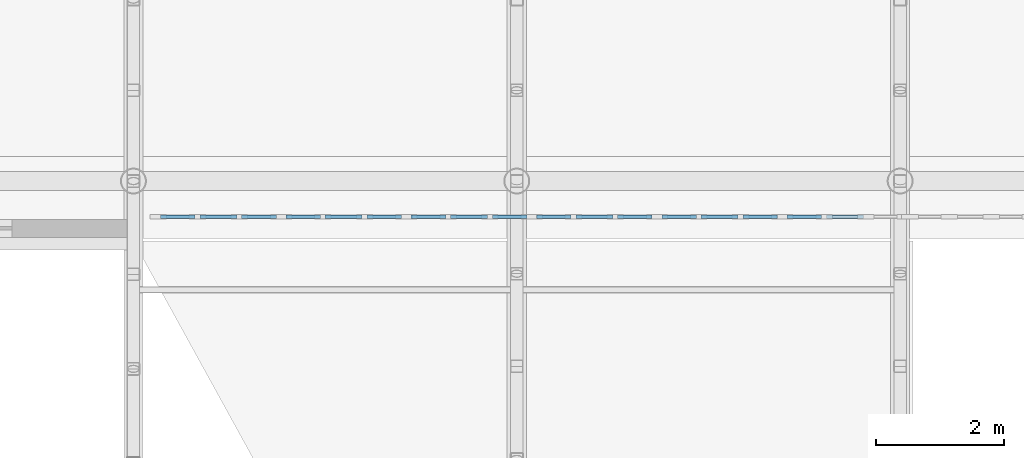
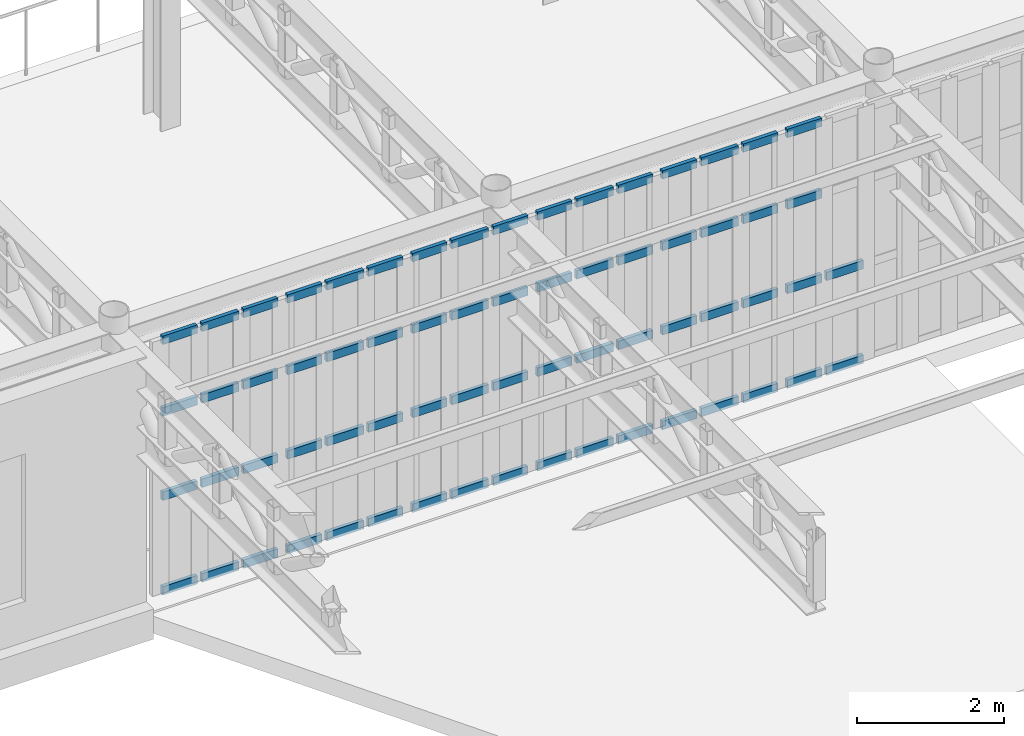
# One storey, part 35 of 91: 66 members, 6 elements without a shape of their own.
"""IFC4 building model written with IfcOpenShell, lengths in metres."""

from ifc_helpers import new_model, si_unit, direction, frame, origin, origin_2d, place, context, subcontext, project, spatial, rectangle, extrude, material, material_profile, profile_set, type_object, element, aggregate, save


model = new_model("IFC4")

# Units and contexts
model_context = context("Model", 3, precision=1e-05, world=origin(), true_north=direction((0.0, 1.0)))
body_context = subcontext(model_context, "Body", "Model", "MODEL_VIEW")
ifc_project = project(units=[si_unit("LENGTHUNIT", "METRE"), si_unit("AREAUNIT", "SQUARE_METRE"), si_unit("VOLUMEUNIT", "CUBIC_METRE"), si_unit("PLANEANGLEUNIT", "RADIAN"), si_unit("MASSUNIT", "GRAM", prefix="KILO")], contexts=[model_context])

# Site, building, storey
site_placement = place(None, origin())
site = spatial("IfcSite", under=ifc_project, at=site_placement, CompositionType="ELEMENT")
building_placement = place(site_placement, origin())
building = spatial("IfcBuilding", under=site, at=building_placement, Name="Kolvaren Corner Interchange", CompositionType="ELEMENT")
storey_placement = place(building_placement, frame((0.0, 0.0, 6.0)))
storey = spatial("IfcBuildingStorey", under=building, at=storey_placement, Name="L02", CompositionType="ELEMENT", Elevation=6.0)

# Curtain wall, members
ifc_material_1 = material(Name="Unitised Aluminium and Solar-Control Glass Curtain Wall", Category="aluminium")
curtain_wall_type = type_object("IfcCurtainWallType", Name="CW-V1-MEZZ", PredefinedType="NOTDEFINED", material=ifc_material_1)
curtain_wall_1_placement = place(storey_placement, origin())
curtain_wall_1 = element("IfcCurtainWall", 1, at=curtain_wall_1_placement, inside=storey, type_object=curtain_wall_type, Name="South Portal Mezzanine Curtain Wall Bay 01", PredefinedType="NOTDEFINED")
ifc_material_2 = material(Name="Anodised Aluminium Framing", Category="aluminium")
ifc_material_profile = material_profile(ifc_material_2, rectangle(XDim=0.06005859375, YDim=0.139892578125, at=origin_2d()), Name="ALU 60x140")
ifc_profile_set = profile_set([ifc_material_profile], Name="Anodised Aluminium Framing")
member_type = type_object("IfcMemberType", Name="TRN-ALU60x140", PredefinedType="USERDEFINED", material=ifc_profile_set)
member_1_placement = place(storey_placement, frame((72.425048828125, 24.340087890625, 0.030029296875), z_axis=(1.0, 0.0, 0.0), x_axis=(0.0, 1.0, 0.0)))
member_1 = element("IfcMember", 2, at=member_1_placement, type_object=member_type, Name="CW-019 transom 1.1", ObjectType="TRANSOM", PredefinedType="USERDEFINED", context=body_context, shape_type="SweptSolid", body=[
    extrude(rectangle(XDim=0.06005859375, YDim=0.139892578125, at=origin_2d()), origin(), (0.0, 0.0, 1.0), 0.541259765625),
])
member_2_placement = place(storey_placement, frame((72.425048828125, 24.340087890625, 1.60009765625), z_axis=(1.0, 0.0, 0.0), x_axis=(0.0, 1.0, 0.0)))
member_2 = element("IfcMember", 3, at=member_2_placement, type_object=member_type, Name="CW-019 transom 1.2", ObjectType="TRANSOM", PredefinedType="USERDEFINED", context=body_context, shape_type="SweptSolid", body=[
    extrude(rectangle(XDim=0.06005859375, YDim=0.139892578125, at=origin_2d()), origin(), (0.0, 0.0, 1.0), 0.541259765625),
])
member_3_placement = place(storey_placement, frame((72.425048828125, 24.340087890625, 3.0), z_axis=(1.0, 0.0, 0.0), x_axis=(0.0, 1.0, 0.0)))
member_3 = element("IfcMember", 4, at=member_3_placement, type_object=member_type, Name="CW-019 transom 1.3", ObjectType="TRANSOM", PredefinedType="USERDEFINED", context=body_context, shape_type="SweptSolid", body=[
    extrude(rectangle(XDim=0.06005859375, YDim=0.139892578125, at=origin_2d()), origin(), (0.0, 0.0, 1.0), 0.541259765625),
])
member_4_placement = place(storey_placement, frame((72.425048828125, 24.340087890625, 4.18994140625), z_axis=(1.0, 0.0, 0.0), x_axis=(0.0, 1.0, 0.0)))
member_4 = element("IfcMember", 5, at=member_4_placement, type_object=member_type, Name="CW-019 transom 1.4", ObjectType="TRANSOM", PredefinedType="USERDEFINED", context=body_context, shape_type="SweptSolid", body=[
    extrude(rectangle(XDim=0.06005859375, YDim=0.139892578125, at=origin_2d()), origin(), (0.0, 0.0, 1.0), 0.541259765625),
])
member_5_placement = place(storey_placement, frame((73.041259765625, 24.340087890625, 0.030029296875), z_axis=(1.0, 0.0, 0.0), x_axis=(0.0, 1.0, 0.0)))
member_5 = element("IfcMember", 6, at=member_5_placement, type_object=member_type, Name="CW-019 transom 2.1", ObjectType="TRANSOM", PredefinedType="USERDEFINED", context=body_context, shape_type="SweptSolid", body=[
    extrude(rectangle(XDim=0.06005859375, YDim=0.139892578125, at=origin_2d()), origin(), (0.0, 0.0, 1.0), 0.57861328125),
])
member_6_placement = place(storey_placement, frame((73.041259765625, 24.340087890625, 1.60009765625), z_axis=(1.0, 0.0, 0.0), x_axis=(0.0, 1.0, 0.0)))
member_6 = element("IfcMember", 7, at=member_6_placement, type_object=member_type, Name="CW-019 transom 2.2", ObjectType="TRANSOM", PredefinedType="USERDEFINED", context=body_context, shape_type="SweptSolid", body=[
    extrude(rectangle(XDim=0.06005859375, YDim=0.139892578125, at=origin_2d()), origin(), (0.0, 0.0, 1.0), 0.57861328125),
])
member_7_placement = place(storey_placement, frame((73.041259765625, 24.340087890625, 3.0), z_axis=(1.0, 0.0, 0.0), x_axis=(0.0, 1.0, 0.0)))
member_7 = element("IfcMember", 8, at=member_7_placement, type_object=member_type, Name="CW-019 transom 2.3", ObjectType="TRANSOM", PredefinedType="USERDEFINED", context=body_context, shape_type="SweptSolid", body=[
    extrude(rectangle(XDim=0.06005859375, YDim=0.139892578125, at=origin_2d()), origin(), (0.0, 0.0, 1.0), 0.57861328125),
])
member_8_placement = place(storey_placement, frame((73.041259765625, 24.340087890625, 4.18994140625), z_axis=(1.0, 0.0, 0.0), x_axis=(0.0, 1.0, 0.0)))
member_8 = element("IfcMember", 9, at=member_8_placement, type_object=member_type, Name="CW-019 transom 2.4", ObjectType="TRANSOM", PredefinedType="USERDEFINED", context=body_context, shape_type="SweptSolid", body=[
    extrude(rectangle(XDim=0.06005859375, YDim=0.139892578125, at=origin_2d()), origin(), (0.0, 0.0, 1.0), 0.57861328125),
])
member_9_placement = place(storey_placement, frame((73.69482421875, 24.340087890625, 0.030029296875), z_axis=(1.0, 0.0, 0.0), x_axis=(0.0, 1.0, 0.0)))
member_9 = element("IfcMember", 10, at=member_9_placement, type_object=member_type, Name="CW-019 transom 3.1", ObjectType="TRANSOM", PredefinedType="USERDEFINED", context=body_context, shape_type="SweptSolid", body=[
    extrude(rectangle(XDim=0.06005859375, YDim=0.139892578125, at=origin_2d()), origin(), (0.0, 0.0, 1.0), 0.541259765625),
])
member_10_placement = place(storey_placement, frame((73.69482421875, 24.340087890625, 1.60009765625), z_axis=(1.0, 0.0, 0.0), x_axis=(0.0, 1.0, 0.0)))
member_10 = element("IfcMember", 11, at=member_10_placement, type_object=member_type, Name="CW-019 transom 3.2", ObjectType="TRANSOM", PredefinedType="USERDEFINED", context=body_context, shape_type="SweptSolid", body=[
    extrude(rectangle(XDim=0.06005859375, YDim=0.139892578125, at=origin_2d()), origin(), (0.0, 0.0, 1.0), 0.541259765625),
])
member_11_placement = place(storey_placement, frame((73.69482421875, 24.340087890625, 3.0), z_axis=(1.0, 0.0, 0.0), x_axis=(0.0, 1.0, 0.0)))
member_11 = element("IfcMember", 12, at=member_11_placement, type_object=member_type, Name="CW-019 transom 3.3", ObjectType="TRANSOM", PredefinedType="USERDEFINED", context=body_context, shape_type="SweptSolid", body=[
    extrude(rectangle(XDim=0.06005859375, YDim=0.139892578125, at=origin_2d()), origin(), (0.0, 0.0, 1.0), 0.541259765625),
])
member_12_placement = place(storey_placement, frame((73.69482421875, 24.340087890625, 4.18994140625), z_axis=(1.0, 0.0, 0.0), x_axis=(0.0, 1.0, 0.0)))
member_12 = element("IfcMember", 13, at=member_12_placement, type_object=member_type, Name="CW-019 transom 3.4", ObjectType="TRANSOM", PredefinedType="USERDEFINED", context=body_context, shape_type="SweptSolid", body=[
    extrude(rectangle(XDim=0.06005859375, YDim=0.139892578125, at=origin_2d()), origin(), (0.0, 0.0, 1.0), 0.541259765625),
])
aggregate(curtain_wall_1, [member_1, member_2, member_3, member_4, member_5, member_6, member_7, member_8, member_9, member_10, member_11, member_12])

curtain_wall_2_placement = place(storey_placement, origin())
curtain_wall_2 = element("IfcCurtainWall", 14, at=curtain_wall_2_placement, inside=storey, type_object=curtain_wall_type, Name="South Portal Mezzanine Curtain Wall Bay 02", PredefinedType="NOTDEFINED")
member_13_placement = place(storey_placement, frame((74.385986328125, 24.340087890625, 0.030029296875), z_axis=(1.0, 0.0, 0.0), x_axis=(0.0, 1.0, 0.0)))
member_13 = element("IfcMember", 15, at=member_13_placement, type_object=member_type, Name="CW-020 transom 1.1", ObjectType="TRANSOM", PredefinedType="USERDEFINED", context=body_context, shape_type="SweptSolid", body=[
    extrude(rectangle(XDim=0.06005859375, YDim=0.139892578125, at=origin_2d()), origin(), (0.0, 0.0, 1.0), 0.541259765625),
])
member_14_placement = place(storey_placement, frame((74.385986328125, 24.340087890625, 1.60009765625), z_axis=(1.0, 0.0, 0.0), x_axis=(0.0, 1.0, 0.0)))
member_14 = element("IfcMember", 16, at=member_14_placement, type_object=member_type, Name="CW-020 transom 1.2", ObjectType="TRANSOM", PredefinedType="USERDEFINED", context=body_context, shape_type="SweptSolid", body=[
    extrude(rectangle(XDim=0.06005859375, YDim=0.139892578125, at=origin_2d()), origin(), (0.0, 0.0, 1.0), 0.541259765625),
])
member_15_placement = place(storey_placement, frame((74.385986328125, 24.340087890625, 3.0), z_axis=(1.0, 0.0, 0.0), x_axis=(0.0, 1.0, 0.0)))
member_15 = element("IfcMember", 17, at=member_15_placement, type_object=member_type, Name="CW-020 transom 1.3", ObjectType="TRANSOM", PredefinedType="USERDEFINED", context=body_context, shape_type="SweptSolid", body=[
    extrude(rectangle(XDim=0.06005859375, YDim=0.139892578125, at=origin_2d()), origin(), (0.0, 0.0, 1.0), 0.541259765625),
])
member_16_placement = place(storey_placement, frame((74.385986328125, 24.340087890625, 4.18994140625), z_axis=(1.0, 0.0, 0.0), x_axis=(0.0, 1.0, 0.0)))
member_16 = element("IfcMember", 18, at=member_16_placement, type_object=member_type, Name="CW-020 transom 1.4", ObjectType="TRANSOM", PredefinedType="USERDEFINED", context=body_context, shape_type="SweptSolid", body=[
    extrude(rectangle(XDim=0.06005859375, YDim=0.139892578125, at=origin_2d()), origin(), (0.0, 0.0, 1.0), 0.541259765625),
])
member_17_placement = place(storey_placement, frame((75.002197265625, 24.340087890625, 0.030029296875), z_axis=(1.0, 0.0, 0.0), x_axis=(0.0, 1.0, 0.0)))
member_17 = element("IfcMember", 19, at=member_17_placement, type_object=member_type, Name="CW-020 transom 2.1", ObjectType="TRANSOM", PredefinedType="USERDEFINED", context=body_context, shape_type="SweptSolid", body=[
    extrude(rectangle(XDim=0.06005859375, YDim=0.139892578125, at=origin_2d()), origin(), (0.0, 0.0, 1.0), 0.578857421875),
])
member_18_placement = place(storey_placement, frame((75.002197265625, 24.340087890625, 1.60009765625), z_axis=(1.0, 0.0, 0.0), x_axis=(0.0, 1.0, 0.0)))
member_18 = element("IfcMember", 20, at=member_18_placement, type_object=member_type, Name="CW-020 transom 2.2", ObjectType="TRANSOM", PredefinedType="USERDEFINED", context=body_context, shape_type="SweptSolid", body=[
    extrude(rectangle(XDim=0.06005859375, YDim=0.139892578125, at=origin_2d()), origin(), (0.0, 0.0, 1.0), 0.578857421875),
])
member_19_placement = place(storey_placement, frame((75.002197265625, 24.340087890625, 3.0), z_axis=(1.0, 0.0, 0.0), x_axis=(0.0, 1.0, 0.0)))
member_19 = element("IfcMember", 21, at=member_19_placement, type_object=member_type, Name="CW-020 transom 2.3", ObjectType="TRANSOM", PredefinedType="USERDEFINED", context=body_context, shape_type="SweptSolid", body=[
    extrude(rectangle(XDim=0.06005859375, YDim=0.139892578125, at=origin_2d()), origin(), (0.0, 0.0, 1.0), 0.578857421875),
])
member_20_placement = place(storey_placement, frame((75.002197265625, 24.340087890625, 4.18994140625), z_axis=(1.0, 0.0, 0.0), x_axis=(0.0, 1.0, 0.0)))
member_20 = element("IfcMember", 22, at=member_20_placement, type_object=member_type, Name="CW-020 transom 2.4", ObjectType="TRANSOM", PredefinedType="USERDEFINED", context=body_context, shape_type="SweptSolid", body=[
    extrude(rectangle(XDim=0.06005859375, YDim=0.139892578125, at=origin_2d()), origin(), (0.0, 0.0, 1.0), 0.578857421875),
])
member_21_placement = place(storey_placement, frame((75.656005859375, 24.340087890625, 0.030029296875), z_axis=(1.0, 0.0, 0.0), x_axis=(0.0, 1.0, 0.0)))
member_21 = element("IfcMember", 23, at=member_21_placement, type_object=member_type, Name="CW-020 transom 3.1", ObjectType="TRANSOM", PredefinedType="USERDEFINED", context=body_context, shape_type="SweptSolid", body=[
    extrude(rectangle(XDim=0.06005859375, YDim=0.139892578125, at=origin_2d()), origin(), (0.0, 0.0, 1.0), 0.541259765625),
])
member_22_placement = place(storey_placement, frame((75.656005859375, 24.340087890625, 1.60009765625), z_axis=(1.0, 0.0, 0.0), x_axis=(0.0, 1.0, 0.0)))
member_22 = element("IfcMember", 24, at=member_22_placement, type_object=member_type, Name="CW-020 transom 3.2", ObjectType="TRANSOM", PredefinedType="USERDEFINED", context=body_context, shape_type="SweptSolid", body=[
    extrude(rectangle(XDim=0.06005859375, YDim=0.139892578125, at=origin_2d()), origin(), (0.0, 0.0, 1.0), 0.541259765625),
])
member_23_placement = place(storey_placement, frame((75.656005859375, 24.340087890625, 3.0), z_axis=(1.0, 0.0, 0.0), x_axis=(0.0, 1.0, 0.0)))
member_23 = element("IfcMember", 25, at=member_23_placement, type_object=member_type, Name="CW-020 transom 3.3", ObjectType="TRANSOM", PredefinedType="USERDEFINED", context=body_context, shape_type="SweptSolid", body=[
    extrude(rectangle(XDim=0.06005859375, YDim=0.139892578125, at=origin_2d()), origin(), (0.0, 0.0, 1.0), 0.541259765625),
])
member_24_placement = place(storey_placement, frame((75.656005859375, 24.340087890625, 4.18994140625), z_axis=(1.0, 0.0, 0.0), x_axis=(0.0, 1.0, 0.0)))
member_24 = element("IfcMember", 26, at=member_24_placement, type_object=member_type, Name="CW-020 transom 3.4", ObjectType="TRANSOM", PredefinedType="USERDEFINED", context=body_context, shape_type="SweptSolid", body=[
    extrude(rectangle(XDim=0.06005859375, YDim=0.139892578125, at=origin_2d()), origin(), (0.0, 0.0, 1.0), 0.541259765625),
])
aggregate(curtain_wall_2, [member_13, member_14, member_15, member_16, member_17, member_18, member_19, member_20, member_21, member_22, member_23, member_24])

curtain_wall_3_placement = place(storey_placement, origin())
curtain_wall_3 = element("IfcCurtainWall", 27, at=curtain_wall_3_placement, inside=storey, type_object=curtain_wall_type, Name="South Portal Mezzanine Curtain Wall Bay 03", PredefinedType="NOTDEFINED")
member_25_placement = place(storey_placement, frame((76.34716796875, 24.340087890625, 0.030029296875), z_axis=(1.0, 0.0, 0.0), x_axis=(0.0, 1.0, 0.0)))
member_25 = element("IfcMember", 28, at=member_25_placement, type_object=member_type, Name="CW-021 transom 1.1", ObjectType="TRANSOM", PredefinedType="USERDEFINED", context=body_context, shape_type="SweptSolid", body=[
    extrude(rectangle(XDim=0.06005859375, YDim=0.139892578125, at=origin_2d()), origin(), (0.0, 0.0, 1.0), 0.541259765625),
])
member_26_placement = place(storey_placement, frame((76.34716796875, 24.340087890625, 1.60009765625), z_axis=(1.0, 0.0, 0.0), x_axis=(0.0, 1.0, 0.0)))
member_26 = element("IfcMember", 29, at=member_26_placement, type_object=member_type, Name="CW-021 transom 1.2", ObjectType="TRANSOM", PredefinedType="USERDEFINED", context=body_context, shape_type="SweptSolid", body=[
    extrude(rectangle(XDim=0.06005859375, YDim=0.139892578125, at=origin_2d()), origin(), (0.0, 0.0, 1.0), 0.541259765625),
])
member_27_placement = place(storey_placement, frame((76.34716796875, 24.340087890625, 3.0), z_axis=(1.0, 0.0, 0.0), x_axis=(0.0, 1.0, 0.0)))
member_27 = element("IfcMember", 30, at=member_27_placement, type_object=member_type, Name="CW-021 transom 1.3", ObjectType="TRANSOM", PredefinedType="USERDEFINED", context=body_context, shape_type="SweptSolid", body=[
    extrude(rectangle(XDim=0.06005859375, YDim=0.139892578125, at=origin_2d()), origin(), (0.0, 0.0, 1.0), 0.541259765625),
])
member_28_placement = place(storey_placement, frame((76.34716796875, 24.340087890625, 4.18994140625), z_axis=(1.0, 0.0, 0.0), x_axis=(0.0, 1.0, 0.0)))
member_28 = element("IfcMember", 31, at=member_28_placement, type_object=member_type, Name="CW-021 transom 1.4", ObjectType="TRANSOM", PredefinedType="USERDEFINED", context=body_context, shape_type="SweptSolid", body=[
    extrude(rectangle(XDim=0.06005859375, YDim=0.139892578125, at=origin_2d()), origin(), (0.0, 0.0, 1.0), 0.541259765625),
])
member_29_placement = place(storey_placement, frame((76.96337890625, 24.340087890625, 0.030029296875), z_axis=(1.0, 0.0, 0.0), x_axis=(0.0, 1.0, 0.0)))
member_29 = element("IfcMember", 32, at=member_29_placement, type_object=member_type, Name="CW-021 transom 2.1", ObjectType="TRANSOM", PredefinedType="USERDEFINED", context=body_context, shape_type="SweptSolid", body=[
    extrude(rectangle(XDim=0.06005859375, YDim=0.139892578125, at=origin_2d()), origin(), (0.0, 0.0, 1.0), 0.57861328125),
])
member_30_placement = place(storey_placement, frame((76.96337890625, 24.340087890625, 1.60009765625), z_axis=(1.0, 0.0, 0.0), x_axis=(0.0, 1.0, 0.0)))
member_30 = element("IfcMember", 33, at=member_30_placement, type_object=member_type, Name="CW-021 transom 2.2", ObjectType="TRANSOM", PredefinedType="USERDEFINED", context=body_context, shape_type="SweptSolid", body=[
    extrude(rectangle(XDim=0.06005859375, YDim=0.139892578125, at=origin_2d()), origin(), (0.0, 0.0, 1.0), 0.57861328125),
])
member_31_placement = place(storey_placement, frame((76.96337890625, 24.340087890625, 3.0), z_axis=(1.0, 0.0, 0.0), x_axis=(0.0, 1.0, 0.0)))
member_31 = element("IfcMember", 34, at=member_31_placement, type_object=member_type, Name="CW-021 transom 2.3", ObjectType="TRANSOM", PredefinedType="USERDEFINED", context=body_context, shape_type="SweptSolid", body=[
    extrude(rectangle(XDim=0.06005859375, YDim=0.139892578125, at=origin_2d()), origin(), (0.0, 0.0, 1.0), 0.57861328125),
])
member_32_placement = place(storey_placement, frame((76.96337890625, 24.340087890625, 4.18994140625), z_axis=(1.0, 0.0, 0.0), x_axis=(0.0, 1.0, 0.0)))
member_32 = element("IfcMember", 35, at=member_32_placement, type_object=member_type, Name="CW-021 transom 2.4", ObjectType="TRANSOM", PredefinedType="USERDEFINED", context=body_context, shape_type="SweptSolid", body=[
    extrude(rectangle(XDim=0.06005859375, YDim=0.139892578125, at=origin_2d()), origin(), (0.0, 0.0, 1.0), 0.57861328125),
])
member_33_placement = place(storey_placement, frame((77.6171875, 24.340087890625, 0.030029296875), z_axis=(1.0, 0.0, 0.0), x_axis=(0.0, 1.0, 0.0)))
member_33 = element("IfcMember", 36, at=member_33_placement, type_object=member_type, Name="CW-021 transom 3.1", ObjectType="TRANSOM", PredefinedType="USERDEFINED", context=body_context, shape_type="SweptSolid", body=[
    extrude(rectangle(XDim=0.06005859375, YDim=0.139892578125, at=origin_2d()), origin(), (0.0, 0.0, 1.0), 0.541015625),
])
member_34_placement = place(storey_placement, frame((77.6171875, 24.340087890625, 1.60009765625), z_axis=(1.0, 0.0, 0.0), x_axis=(0.0, 1.0, 0.0)))
member_34 = element("IfcMember", 37, at=member_34_placement, type_object=member_type, Name="CW-021 transom 3.2", ObjectType="TRANSOM", PredefinedType="USERDEFINED", context=body_context, shape_type="SweptSolid", body=[
    extrude(rectangle(XDim=0.06005859375, YDim=0.139892578125, at=origin_2d()), origin(), (0.0, 0.0, 1.0), 0.541015625),
])
member_35_placement = place(storey_placement, frame((77.6171875, 24.340087890625, 3.0), z_axis=(1.0, 0.0, 0.0), x_axis=(0.0, 1.0, 0.0)))
member_35 = element("IfcMember", 38, at=member_35_placement, type_object=member_type, Name="CW-021 transom 3.3", ObjectType="TRANSOM", PredefinedType="USERDEFINED", context=body_context, shape_type="SweptSolid", body=[
    extrude(rectangle(XDim=0.06005859375, YDim=0.139892578125, at=origin_2d()), origin(), (0.0, 0.0, 1.0), 0.541015625),
])
member_36_placement = place(storey_placement, frame((77.6171875, 24.340087890625, 4.18994140625), z_axis=(1.0, 0.0, 0.0), x_axis=(0.0, 1.0, 0.0)))
member_36 = element("IfcMember", 39, at=member_36_placement, type_object=member_type, Name="CW-021 transom 3.4", ObjectType="TRANSOM", PredefinedType="USERDEFINED", context=body_context, shape_type="SweptSolid", body=[
    extrude(rectangle(XDim=0.06005859375, YDim=0.139892578125, at=origin_2d()), origin(), (0.0, 0.0, 1.0), 0.541015625),
])
aggregate(curtain_wall_3, [member_25, member_26, member_27, member_28, member_29, member_30, member_31, member_32, member_33, member_34, member_35, member_36])

curtain_wall_4_placement = place(storey_placement, origin())
curtain_wall_4 = element("IfcCurtainWall", 40, at=curtain_wall_4_placement, inside=storey, type_object=curtain_wall_type, Name="South Portal Mezzanine Curtain Wall Bay 04", PredefinedType="NOTDEFINED")
member_37_placement = place(storey_placement, frame((78.308349609375, 24.340087890625, 0.030029296875), z_axis=(1.0, 0.0, 0.0), x_axis=(0.0, 1.0, 0.0)))
member_37 = element("IfcMember", 41, at=member_37_placement, type_object=member_type, Name="CW-022 transom 1.1", ObjectType="TRANSOM", PredefinedType="USERDEFINED", context=body_context, shape_type="SweptSolid", body=[
    extrude(rectangle(XDim=0.06005859375, YDim=0.139892578125, at=origin_2d()), origin(), (0.0, 0.0, 1.0), 0.541259765625),
])
member_38_placement = place(storey_placement, frame((78.308349609375, 24.340087890625, 1.60009765625), z_axis=(1.0, 0.0, 0.0), x_axis=(0.0, 1.0, 0.0)))
member_38 = element("IfcMember", 42, at=member_38_placement, type_object=member_type, Name="CW-022 transom 1.2", ObjectType="TRANSOM", PredefinedType="USERDEFINED", context=body_context, shape_type="SweptSolid", body=[
    extrude(rectangle(XDim=0.06005859375, YDim=0.139892578125, at=origin_2d()), origin(), (0.0, 0.0, 1.0), 0.541259765625),
])
member_39_placement = place(storey_placement, frame((78.308349609375, 24.340087890625, 3.0), z_axis=(1.0, 0.0, 0.0), x_axis=(0.0, 1.0, 0.0)))
member_39 = element("IfcMember", 43, at=member_39_placement, type_object=member_type, Name="CW-022 transom 1.3", ObjectType="TRANSOM", PredefinedType="USERDEFINED", context=body_context, shape_type="SweptSolid", body=[
    extrude(rectangle(XDim=0.06005859375, YDim=0.139892578125, at=origin_2d()), origin(), (0.0, 0.0, 1.0), 0.541259765625),
])
member_40_placement = place(storey_placement, frame((78.308349609375, 24.340087890625, 4.18994140625), z_axis=(1.0, 0.0, 0.0), x_axis=(0.0, 1.0, 0.0)))
member_40 = element("IfcMember", 44, at=member_40_placement, type_object=member_type, Name="CW-022 transom 1.4", ObjectType="TRANSOM", PredefinedType="USERDEFINED", context=body_context, shape_type="SweptSolid", body=[
    extrude(rectangle(XDim=0.06005859375, YDim=0.139892578125, at=origin_2d()), origin(), (0.0, 0.0, 1.0), 0.541259765625),
])
member_41_placement = place(storey_placement, frame((78.924560546875, 24.340087890625, 0.030029296875), z_axis=(1.0, 0.0, 0.0), x_axis=(0.0, 1.0, 0.0)))
member_41 = element("IfcMember", 45, at=member_41_placement, type_object=member_type, Name="CW-022 transom 2.1", ObjectType="TRANSOM", PredefinedType="USERDEFINED", context=body_context, shape_type="SweptSolid", body=[
    extrude(rectangle(XDim=0.06005859375, YDim=0.139892578125, at=origin_2d()), origin(), (0.0, 0.0, 1.0), 0.57861328125),
])
member_42_placement = place(storey_placement, frame((78.924560546875, 24.340087890625, 1.60009765625), z_axis=(1.0, 0.0, 0.0), x_axis=(0.0, 1.0, 0.0)))
member_42 = element("IfcMember", 46, at=member_42_placement, type_object=member_type, Name="CW-022 transom 2.2", ObjectType="TRANSOM", PredefinedType="USERDEFINED", context=body_context, shape_type="SweptSolid", body=[
    extrude(rectangle(XDim=0.06005859375, YDim=0.139892578125, at=origin_2d()), origin(), (0.0, 0.0, 1.0), 0.57861328125),
])
member_43_placement = place(storey_placement, frame((78.924560546875, 24.340087890625, 3.0), z_axis=(1.0, 0.0, 0.0), x_axis=(0.0, 1.0, 0.0)))
member_43 = element("IfcMember", 47, at=member_43_placement, type_object=member_type, Name="CW-022 transom 2.3", ObjectType="TRANSOM", PredefinedType="USERDEFINED", context=body_context, shape_type="SweptSolid", body=[
    extrude(rectangle(XDim=0.06005859375, YDim=0.139892578125, at=origin_2d()), origin(), (0.0, 0.0, 1.0), 0.57861328125),
])
member_44_placement = place(storey_placement, frame((78.924560546875, 24.340087890625, 4.18994140625), z_axis=(1.0, 0.0, 0.0), x_axis=(0.0, 1.0, 0.0)))
member_44 = element("IfcMember", 48, at=member_44_placement, type_object=member_type, Name="CW-022 transom 2.4", ObjectType="TRANSOM", PredefinedType="USERDEFINED", context=body_context, shape_type="SweptSolid", body=[
    extrude(rectangle(XDim=0.06005859375, YDim=0.139892578125, at=origin_2d()), origin(), (0.0, 0.0, 1.0), 0.57861328125),
])
member_45_placement = place(storey_placement, frame((79.578125, 24.340087890625, 0.030029296875), z_axis=(1.0, 0.0, 0.0), x_axis=(0.0, 1.0, 0.0)))
member_45 = element("IfcMember", 49, at=member_45_placement, type_object=member_type, Name="CW-022 transom 3.1", ObjectType="TRANSOM", PredefinedType="USERDEFINED", context=body_context, shape_type="SweptSolid", body=[
    extrude(rectangle(XDim=0.06005859375, YDim=0.139892578125, at=origin_2d()), origin(), (0.0, 0.0, 1.0), 0.541259765625),
])
member_46_placement = place(storey_placement, frame((79.578125, 24.340087890625, 1.60009765625), z_axis=(1.0, 0.0, 0.0), x_axis=(0.0, 1.0, 0.0)))
member_46 = element("IfcMember", 50, at=member_46_placement, type_object=member_type, Name="CW-022 transom 3.2", ObjectType="TRANSOM", PredefinedType="USERDEFINED", context=body_context, shape_type="SweptSolid", body=[
    extrude(rectangle(XDim=0.06005859375, YDim=0.139892578125, at=origin_2d()), origin(), (0.0, 0.0, 1.0), 0.541259765625),
])
member_47_placement = place(storey_placement, frame((79.578125, 24.340087890625, 3.0), z_axis=(1.0, 0.0, 0.0), x_axis=(0.0, 1.0, 0.0)))
member_47 = element("IfcMember", 51, at=member_47_placement, type_object=member_type, Name="CW-022 transom 3.3", ObjectType="TRANSOM", PredefinedType="USERDEFINED", context=body_context, shape_type="SweptSolid", body=[
    extrude(rectangle(XDim=0.06005859375, YDim=0.139892578125, at=origin_2d()), origin(), (0.0, 0.0, 1.0), 0.541259765625),
])
member_48_placement = place(storey_placement, frame((79.578125, 24.340087890625, 4.18994140625), z_axis=(1.0, 0.0, 0.0), x_axis=(0.0, 1.0, 0.0)))
member_48 = element("IfcMember", 52, at=member_48_placement, type_object=member_type, Name="CW-022 transom 3.4", ObjectType="TRANSOM", PredefinedType="USERDEFINED", context=body_context, shape_type="SweptSolid", body=[
    extrude(rectangle(XDim=0.06005859375, YDim=0.139892578125, at=origin_2d()), origin(), (0.0, 0.0, 1.0), 0.541259765625),
])
aggregate(curtain_wall_4, [member_37, member_38, member_39, member_40, member_41, member_42, member_43, member_44, member_45, member_46, member_47, member_48])

curtain_wall_5_placement = place(storey_placement, origin())
curtain_wall_5 = element("IfcCurtainWall", 53, at=curtain_wall_5_placement, inside=storey, type_object=curtain_wall_type, Name="South Portal Mezzanine Curtain Wall Bay 05", PredefinedType="NOTDEFINED")
member_49_placement = place(storey_placement, frame((80.269287109375, 24.340087890625, 0.030029296875), z_axis=(1.0, 0.0, 0.0), x_axis=(0.0, 1.0, 0.0)))
member_49 = element("IfcMember", 54, at=member_49_placement, type_object=member_type, Name="CW-023 transom 1.1", ObjectType="TRANSOM", PredefinedType="USERDEFINED", context=body_context, shape_type="SweptSolid", body=[
    extrude(rectangle(XDim=0.06005859375, YDim=0.139892578125, at=origin_2d()), origin(), (0.0, 0.0, 1.0), 0.541259765625),
])
member_50_placement = place(storey_placement, frame((80.269287109375, 24.340087890625, 1.60009765625), z_axis=(1.0, 0.0, 0.0), x_axis=(0.0, 1.0, 0.0)))
member_50 = element("IfcMember", 55, at=member_50_placement, type_object=member_type, Name="CW-023 transom 1.2", ObjectType="TRANSOM", PredefinedType="USERDEFINED", context=body_context, shape_type="SweptSolid", body=[
    extrude(rectangle(XDim=0.06005859375, YDim=0.139892578125, at=origin_2d()), origin(), (0.0, 0.0, 1.0), 0.541259765625),
])
member_51_placement = place(storey_placement, frame((80.269287109375, 24.340087890625, 3.0), z_axis=(1.0, 0.0, 0.0), x_axis=(0.0, 1.0, 0.0)))
member_51 = element("IfcMember", 56, at=member_51_placement, type_object=member_type, Name="CW-023 transom 1.3", ObjectType="TRANSOM", PredefinedType="USERDEFINED", context=body_context, shape_type="SweptSolid", body=[
    extrude(rectangle(XDim=0.06005859375, YDim=0.139892578125, at=origin_2d()), origin(), (0.0, 0.0, 1.0), 0.541259765625),
])
member_52_placement = place(storey_placement, frame((80.269287109375, 24.340087890625, 4.18994140625), z_axis=(1.0, 0.0, 0.0), x_axis=(0.0, 1.0, 0.0)))
member_52 = element("IfcMember", 57, at=member_52_placement, type_object=member_type, Name="CW-023 transom 1.4", ObjectType="TRANSOM", PredefinedType="USERDEFINED", context=body_context, shape_type="SweptSolid", body=[
    extrude(rectangle(XDim=0.06005859375, YDim=0.139892578125, at=origin_2d()), origin(), (0.0, 0.0, 1.0), 0.541259765625),
])
member_53_placement = place(storey_placement, frame((80.8857421875, 24.340087890625, 0.030029296875), z_axis=(1.0, 0.0, 0.0), x_axis=(0.0, 1.0, 0.0)))
member_53 = element("IfcMember", 58, at=member_53_placement, type_object=member_type, Name="CW-023 transom 2.1", ObjectType="TRANSOM", PredefinedType="USERDEFINED", context=body_context, shape_type="SweptSolid", body=[
    extrude(rectangle(XDim=0.06005859375, YDim=0.139892578125, at=origin_2d()), origin(), (0.0, 0.0, 1.0), 0.57861328125),
])
member_54_placement = place(storey_placement, frame((80.8857421875, 24.340087890625, 1.60009765625), z_axis=(1.0, 0.0, 0.0), x_axis=(0.0, 1.0, 0.0)))
member_54 = element("IfcMember", 59, at=member_54_placement, type_object=member_type, Name="CW-023 transom 2.2", ObjectType="TRANSOM", PredefinedType="USERDEFINED", context=body_context, shape_type="SweptSolid", body=[
    extrude(rectangle(XDim=0.06005859375, YDim=0.139892578125, at=origin_2d()), origin(), (0.0, 0.0, 1.0), 0.57861328125),
])
member_55_placement = place(storey_placement, frame((80.8857421875, 24.340087890625, 3.0), z_axis=(1.0, 0.0, 0.0), x_axis=(0.0, 1.0, 0.0)))
member_55 = element("IfcMember", 60, at=member_55_placement, type_object=member_type, Name="CW-023 transom 2.3", ObjectType="TRANSOM", PredefinedType="USERDEFINED", context=body_context, shape_type="SweptSolid", body=[
    extrude(rectangle(XDim=0.06005859375, YDim=0.139892578125, at=origin_2d()), origin(), (0.0, 0.0, 1.0), 0.57861328125),
])
member_56_placement = place(storey_placement, frame((80.8857421875, 24.340087890625, 4.18994140625), z_axis=(1.0, 0.0, 0.0), x_axis=(0.0, 1.0, 0.0)))
member_56 = element("IfcMember", 61, at=member_56_placement, type_object=member_type, Name="CW-023 transom 2.4", ObjectType="TRANSOM", PredefinedType="USERDEFINED", context=body_context, shape_type="SweptSolid", body=[
    extrude(rectangle(XDim=0.06005859375, YDim=0.139892578125, at=origin_2d()), origin(), (0.0, 0.0, 1.0), 0.57861328125),
])
member_57_placement = place(storey_placement, frame((81.539306640625, 24.340087890625, 0.030029296875), z_axis=(1.0, 0.0, 0.0), x_axis=(0.0, 1.0, 0.0)))
member_57 = element("IfcMember", 62, at=member_57_placement, type_object=member_type, Name="CW-023 transom 3.1", ObjectType="TRANSOM", PredefinedType="USERDEFINED", context=body_context, shape_type="SweptSolid", body=[
    extrude(rectangle(XDim=0.06005859375, YDim=0.139892578125, at=origin_2d()), origin(), (0.0, 0.0, 1.0), 0.541259765625),
])
member_58_placement = place(storey_placement, frame((81.539306640625, 24.340087890625, 1.60009765625), z_axis=(1.0, 0.0, 0.0), x_axis=(0.0, 1.0, 0.0)))
member_58 = element("IfcMember", 63, at=member_58_placement, type_object=member_type, Name="CW-023 transom 3.2", ObjectType="TRANSOM", PredefinedType="USERDEFINED", context=body_context, shape_type="SweptSolid", body=[
    extrude(rectangle(XDim=0.06005859375, YDim=0.139892578125, at=origin_2d()), origin(), (0.0, 0.0, 1.0), 0.541259765625),
])
member_59_placement = place(storey_placement, frame((81.539306640625, 24.340087890625, 3.0), z_axis=(1.0, 0.0, 0.0), x_axis=(0.0, 1.0, 0.0)))
member_59 = element("IfcMember", 64, at=member_59_placement, type_object=member_type, Name="CW-023 transom 3.3", ObjectType="TRANSOM", PredefinedType="USERDEFINED", context=body_context, shape_type="SweptSolid", body=[
    extrude(rectangle(XDim=0.06005859375, YDim=0.139892578125, at=origin_2d()), origin(), (0.0, 0.0, 1.0), 0.541259765625),
])
member_60_placement = place(storey_placement, frame((81.539306640625, 24.340087890625, 4.18994140625), z_axis=(1.0, 0.0, 0.0), x_axis=(0.0, 1.0, 0.0)))
member_60 = element("IfcMember", 65, at=member_60_placement, type_object=member_type, Name="CW-023 transom 3.4", ObjectType="TRANSOM", PredefinedType="USERDEFINED", context=body_context, shape_type="SweptSolid", body=[
    extrude(rectangle(XDim=0.06005859375, YDim=0.139892578125, at=origin_2d()), origin(), (0.0, 0.0, 1.0), 0.541259765625),
])
aggregate(curtain_wall_5, [member_49, member_50, member_51, member_52, member_53, member_54, member_55, member_56, member_57, member_58, member_59, member_60])

curtain_wall_6_placement = place(storey_placement, origin())
curtain_wall_6 = element("IfcCurtainWall", 66, at=curtain_wall_6_placement, inside=storey, type_object=curtain_wall_type, Name="South Portal Mezzanine Curtain Wall Bay 06", PredefinedType="NOTDEFINED")
member_61_placement = place(storey_placement, frame((82.230712890625, 24.340087890625, 0.030029296875), z_axis=(1.0, 0.0, 0.0), x_axis=(0.0, 1.0, 0.0)))
member_61 = element("IfcMember", 67, at=member_61_placement, type_object=member_type, Name="CW-024 transom 1.1", ObjectType="TRANSOM", PredefinedType="USERDEFINED", context=body_context, shape_type="SweptSolid", body=[
    extrude(rectangle(XDim=0.06005859375, YDim=0.139892578125, at=origin_2d()), origin(), (0.0, 0.0, 1.0), 0.541015625),
])
member_62_placement = place(storey_placement, frame((82.230712890625, 24.340087890625, 1.60009765625), z_axis=(1.0, 0.0, 0.0), x_axis=(0.0, 1.0, 0.0)))
member_62 = element("IfcMember", 68, at=member_62_placement, type_object=member_type, Name="CW-024 transom 1.2", ObjectType="TRANSOM", PredefinedType="USERDEFINED", context=body_context, shape_type="SweptSolid", body=[
    extrude(rectangle(XDim=0.06005859375, YDim=0.139892578125, at=origin_2d()), origin(), (0.0, 0.0, 1.0), 0.541015625),
])
member_63_placement = place(storey_placement, frame((82.230712890625, 24.340087890625, 3.0), z_axis=(1.0, 0.0, 0.0), x_axis=(0.0, 1.0, 0.0)))
member_63 = element("IfcMember", 69, at=member_63_placement, type_object=member_type, Name="CW-024 transom 1.3", ObjectType="TRANSOM", PredefinedType="USERDEFINED", context=body_context, shape_type="SweptSolid", body=[
    extrude(rectangle(XDim=0.06005859375, YDim=0.139892578125, at=origin_2d()), origin(), (0.0, 0.0, 1.0), 0.541015625),
])
member_64_placement = place(storey_placement, frame((82.230712890625, 24.340087890625, 4.18994140625), z_axis=(1.0, 0.0, 0.0), x_axis=(0.0, 1.0, 0.0)))
member_64 = element("IfcMember", 70, at=member_64_placement, type_object=member_type, Name="CW-024 transom 1.4", ObjectType="TRANSOM", PredefinedType="USERDEFINED", context=body_context, shape_type="SweptSolid", body=[
    extrude(rectangle(XDim=0.06005859375, YDim=0.139892578125, at=origin_2d()), origin(), (0.0, 0.0, 1.0), 0.541015625),
])
member_65_placement = place(storey_placement, frame((82.8466796875, 24.340087890625, 0.030029296875), z_axis=(1.0, 0.0, 0.0), x_axis=(0.0, 1.0, 0.0)))
member_65 = element("IfcMember", 71, at=member_65_placement, type_object=member_type, Name="CW-024 transom 2.1", ObjectType="TRANSOM", PredefinedType="USERDEFINED", context=body_context, shape_type="SweptSolid", body=[
    extrude(rectangle(XDim=0.06005859375, YDim=0.139892578125, at=origin_2d()), origin(), (0.0, 0.0, 1.0), 0.578857421875),
])
member_66_placement = place(storey_placement, frame((82.8466796875, 24.340087890625, 1.60009765625), z_axis=(1.0, 0.0, 0.0), x_axis=(0.0, 1.0, 0.0)))
member_66 = element("IfcMember", 72, at=member_66_placement, type_object=member_type, Name="CW-024 transom 2.2", ObjectType="TRANSOM", PredefinedType="USERDEFINED", context=body_context, shape_type="SweptSolid", body=[
    extrude(rectangle(XDim=0.06005859375, YDim=0.139892578125, at=origin_2d()), origin(), (0.0, 0.0, 1.0), 0.578857421875),
])
aggregate(curtain_wall_6, [member_61, member_62, member_63, member_64, member_65, member_66])

save(model, "model.ifc")
